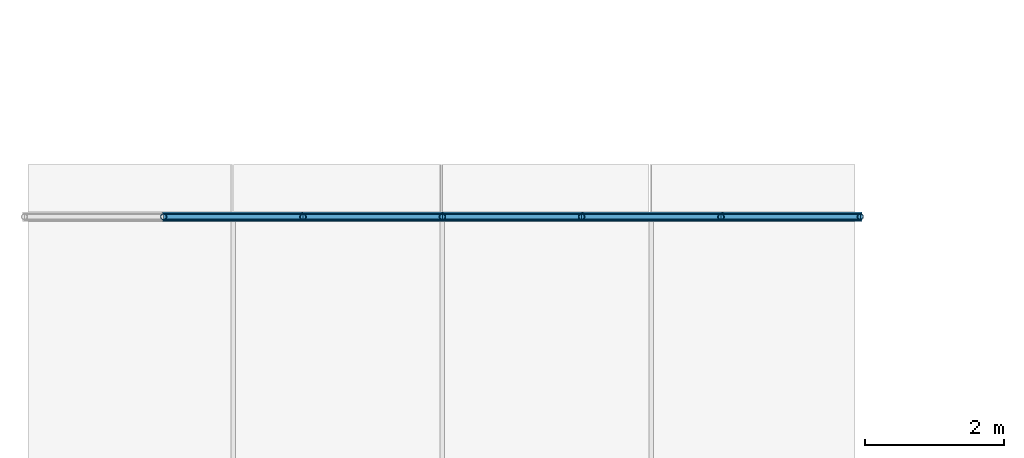
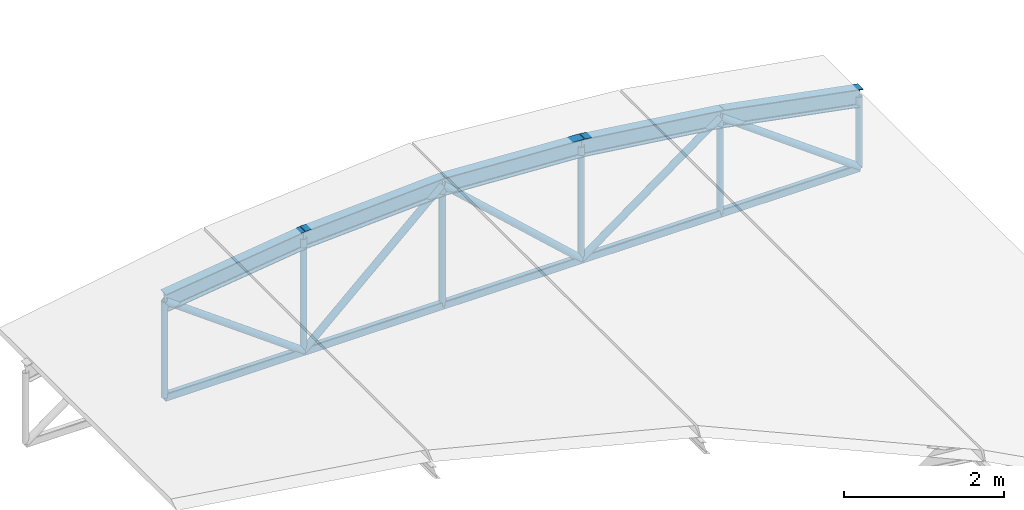
# One storey, part 47 of 54: 21 members.
"""IFC4 building model written with IfcOpenShell, lengths in metres."""

from ifc_helpers import new_model, si_unit, derived_unit, direction, frame, origin, origin_2d, place, context, subcontext, project, spatial, hollow_rectangle, hollow_circle, i_section, extrude, material, material_profile, profile_set, type_object, element, save


model = new_model("IFC4")

# Units and contexts
model_context = context("Model", 3, precision=1e-05, world=origin(), true_north=direction((0.0, 1.0)))
body_context = subcontext(model_context, "Body", "Model", "MODEL_VIEW")
ifc_project = project(units=[si_unit("LENGTHUNIT", "METRE"), si_unit("AREAUNIT", "SQUARE_METRE"), si_unit("VOLUMEUNIT", "CUBIC_METRE"), si_unit("PLANEANGLEUNIT", "RADIAN"), si_unit("MASSUNIT", "GRAM", prefix="KILO"), derived_unit("THERMALTRANSMITTANCEUNIT", [(si_unit("POWERUNIT", "WATT"), 1), (si_unit("LENGTHUNIT", "METRE"), -2), (si_unit("THERMODYNAMICTEMPERATUREUNIT", "KELVIN"), -1)])], contexts=[model_context])

# Site, building, storey
site_placement = place(None, origin())
site = spatial("IfcSite", under=ifc_project, at=site_placement, CompositionType="ELEMENT")
building_placement = place(site_placement, origin())
building = spatial("IfcBuilding", under=site, at=building_placement, Name="Keldorne Ridge Multi-Sports Centre", CompositionType="ELEMENT")
storey_placement = place(building_placement, frame((0.0, 0.0, 22.199951171875)))
storey = spatial("IfcBuildingStorey", under=building, at=storey_placement, Name="ROOF", CompositionType="ELEMENT", Elevation=22.199951171875)

# Members
ifc_material = material(Name="Steel S355", Category="steel")
ifc_material_profile_1 = material_profile(ifc_material, i_section(OverallWidth=0.135009765625, OverallDepth=0.27001953125, WebThickness=0.006591796875, FlangeThickness=0.01025390625, FilletRadius=0.014892578125, at=origin_2d()), Name="IPE 270")
ifc_profile_set_1 = profile_set([ifc_material_profile_1], Name="Steel S355")
member_type_1 = type_object("IfcMemberType", Name="MEM-RF-02", PredefinedType="RAFTER", material=ifc_profile_set_1)
member_1_placement = place(storey_placement, frame((86.0, 114.0, -12.260009765625), z_axis=(0.991654998325, 0.0, 0.128919991848), x_axis=(0.0, 1.0, 0.0)))
element("IfcMember", 1, at=member_1_placement, inside=storey, type_object=member_type_1, Name="Public Passage bowstring arch top chord 14.2", PredefinedType="RAFTER", context=body_context, shape_type="SweptSolid", body=[
    extrude(i_section(OverallWidth=0.135009765625, OverallDepth=0.27001953125, WebThickness=0.006591796875, FlangeThickness=0.01025390625, FilletRadius=0.014892578125, at=origin_2d()), origin(), (0.0, 0.0, 1.0), 2.016845703125),
])
for number, where, z_axis, x_axis, name in (
    (2, (88.0, 114.0, -12.0), (0.998487980686, 0.0, 0.054970468663), (0.0, 1.0, 0.0), "Public Passage bowstring arch top chord 14.3"),
    (3, (90.0, 114.0, -11.889892578125), (0.998487980686, 0.0, -0.054970468663), (0.0, 1.0, 0.0), "Public Passage bowstring arch top chord 14.4"),
):
    element("IfcMember", number, at=place(storey_placement, frame(where, z_axis=z_axis, x_axis=x_axis)), inside=storey, type_object=member_type_1, Name=name, PredefinedType="RAFTER", context=body_context, shape_type="SweptSolid", body=[
        extrude(i_section(OverallWidth=0.135009765625, OverallDepth=0.27001953125, WebThickness=0.006591796875, FlangeThickness=0.01025390625, FilletRadius=0.014892578125, at=origin_2d()), origin(), (0.0, 0.0, 1.0), 2.0029296875),
    ])
member_2_placement = place(storey_placement, frame((92.0, 114.0, -12.0), z_axis=(0.991654998325, 0.0, -0.128919991848), x_axis=(0.0, 1.0, 0.0)))
element("IfcMember", 4, at=member_2_placement, inside=storey, type_object=member_type_1, Name="Public Passage bowstring arch top chord 14.5", PredefinedType="RAFTER", context=body_context, shape_type="SweptSolid", body=[
    extrude(i_section(OverallWidth=0.135009765625, OverallDepth=0.27001953125, WebThickness=0.006591796875, FlangeThickness=0.01025390625, FilletRadius=0.014892578125, at=origin_2d()), origin(), (0.0, 0.0, 1.0), 2.016845703125),
])
member_3_placement = place(storey_placement, frame((94.0, 114.0, -12.260009765625), z_axis=(0.982435006317, 0.0, -0.186605086649), x_axis=(0.0, 1.0, 0.0)))
element("IfcMember", 5, at=member_3_placement, inside=storey, type_object=member_type_1, Name="Public Passage bowstring arch top chord 14.6", PredefinedType="RAFTER", context=body_context, shape_type="SweptSolid", body=[
    extrude(i_section(OverallWidth=0.135009765625, OverallDepth=0.27001953125, WebThickness=0.006591796875, FlangeThickness=0.01025390625, FilletRadius=0.014892578125, at=origin_2d()), origin(), (0.0, 0.0, 1.0), 2.03564453125),
])
ifc_material_profile_2 = material_profile(ifc_material, hollow_rectangle(XDim=0.080078125, YDim=0.1201171875, WallThickness=0.008056640625, InnerFilletRadius=0.008056640625, OuterFilletRadius=0.01611328125, at=origin_2d()), Name="RHS 120x80x8")
ifc_profile_set_2 = profile_set([ifc_material_profile_2], Name="Steel S355")
member_type_2 = type_object("IfcMemberType", Name="MEM-TC-07", PredefinedType="CHORD", material=ifc_profile_set_2)
for number, where, z_axis, x_axis, name in (
    (6, (86.0, 114.0, -13.719970703125), (1.0, 0.0, 0.0), (0.0, 1.0, 0.0), "Public Passage bowstring tie chord 14.2"),
    (7, (88.0, 114.0, -13.719970703125), (1.0, 0.0, 0.0), (0.0, 1.0, 0.0), "Public Passage bowstring tie chord 14.3"),
    (8, (90.0, 114.0, -13.719970703125), (1.0, 0.0, 0.0), (0.0, 1.0, 0.0), "Public Passage bowstring tie chord 14.4"),
    (9, (92.0, 114.0, -13.719970703125), (1.0, 0.0, 0.0), (0.0, 1.0, 0.0), "Public Passage bowstring tie chord 14.5"),
    (10, (94.0, 114.0, -13.719970703125), (1.0, 0.0, 0.0), (0.0, 1.0, 0.0), "Public Passage bowstring tie chord 14.6"),
):
    element("IfcMember", number, at=place(storey_placement, frame(where, z_axis=z_axis, x_axis=x_axis)), inside=storey, type_object=member_type_2, Name=name, PredefinedType="CHORD", context=body_context, shape_type="SweptSolid", body=[
        extrude(hollow_rectangle(XDim=0.080078125, YDim=0.1201171875, WallThickness=0.008056640625, InnerFilletRadius=0.008056640625, OuterFilletRadius=0.01611328125, at=origin_2d()), origin(), (0.0, 0.0, 1.0), 2.0),
    ])
ifc_material_profile_3 = material_profile(ifc_material, hollow_circle(Radius=0.05078125, WallThickness=0.00634765625, at=origin_2d()), Name="CHS 101.6x6.3")
ifc_profile_set_3 = profile_set([ifc_material_profile_3], Name="Steel S355")
member_type_3 = type_object("IfcMemberType", Name="MEM-TD-05", PredefinedType="BRACE", material=ifc_profile_set_3)
member_4_placement = place(storey_placement, frame((86.0, 114.0, -12.260009765625), z_axis=(0.8076945033, 0.0, -0.589601212125), x_axis=(0.0, 1.0, 0.0)))
element("IfcMember", 11, at=member_4_placement, inside=storey, type_object=member_type_3, Name="Public Passage bowstring web diagonal 14.2", PredefinedType="BRACE", context=body_context, shape_type="SweptSolid", body=[
    extrude(hollow_circle(Radius=0.05078125, WallThickness=0.00634765625, at=origin_2d()), origin(), (0.0, 0.0, 1.0), 2.47607421875),
])
for number, where, z_axis, x_axis, name in (
    (12, (88.0, 114.0, -13.719970703125), (0.737751969913, 0.0, 0.675071870907), (0.0, 1.0, 0.0), "Public Passage bowstring web diagonal 14.3"),
    (13, (90.0, 114.0, -11.889892578125), (0.737751969913, 0.0, -0.675071870907), (0.0, 1.0, 0.0), "Public Passage bowstring web diagonal 14.4"),
):
    element("IfcMember", number, at=place(storey_placement, frame(where, z_axis=z_axis, x_axis=x_axis)), inside=storey, type_object=member_type_3, Name=name, PredefinedType="BRACE", context=body_context, shape_type="SweptSolid", body=[
        extrude(hollow_circle(Radius=0.05078125, WallThickness=0.00634765625, at=origin_2d()), origin(), (0.0, 0.0, 1.0), 2.7109375),
    ])
for number, where, z_axis, x_axis, name in (
    (14, (92.0, 114.0, -13.719970703125), (0.8076945033, 0.0, 0.589601212125), (0.0, 1.0, 0.0), "Public Passage bowstring web diagonal 14.5"),
    (15, (94.0, 114.0, -12.260009765625), (0.8076945033, 0.0, -0.589601212125), (0.0, 1.0, 0.0), "Public Passage bowstring web diagonal 14.6"),
):
    element("IfcMember", number, at=place(storey_placement, frame(where, z_axis=z_axis, x_axis=x_axis)), inside=storey, type_object=member_type_3, Name=name, PredefinedType="BRACE", context=body_context, shape_type="SweptSolid", body=[
        extrude(hollow_circle(Radius=0.05078125, WallThickness=0.00634765625, at=origin_2d()), origin(), (0.0, 0.0, 1.0), 2.47607421875),
    ])
ifc_material_profile_4 = material_profile(ifc_material, hollow_circle(Radius=0.04443359375, WallThickness=0.0048828125, at=origin_2d()), Name="CHS 88.9x5")
ifc_profile_set_4 = profile_set([ifc_material_profile_4], Name="Steel S355")
member_type_4 = type_object("IfcMemberType", Name="MEM-TV-07", PredefinedType="STRUT", material=ifc_profile_set_4)
member_5_placement = place(storey_placement, frame((86.0, 114.0, -13.719970703125), z_axis=(0.0, 0.0, 1.0), x_axis=(1.0, 0.0, 0.0)))
element("IfcMember", 16, at=member_5_placement, inside=storey, type_object=member_type_4, Name="Public Passage bowstring hanger 14.2", PredefinedType="STRUT", context=body_context, shape_type="SweptSolid", body=[
    extrude(hollow_circle(Radius=0.04443359375, WallThickness=0.0048828125, at=origin_2d()), origin(), (0.0, 0.0, 1.0), 1.4599609375),
])
member_6_placement = place(storey_placement, frame((88.0, 114.0, -13.719970703125), z_axis=(0.0, 0.0, 1.0), x_axis=(1.0, 0.0, 0.0)))
element("IfcMember", 17, at=member_6_placement, inside=storey, type_object=member_type_4, Name="Public Passage bowstring hanger 14.3", PredefinedType="STRUT", context=body_context, shape_type="SweptSolid", body=[
    extrude(hollow_circle(Radius=0.04443359375, WallThickness=0.0048828125, at=origin_2d()), origin(), (0.0, 0.0, 1.0), 1.719970703125),
])
member_7_placement = place(storey_placement, frame((90.0, 114.0, -13.719970703125), z_axis=(0.0, 0.0, 1.0), x_axis=(1.0, 0.0, 0.0)))
element("IfcMember", 18, at=member_7_placement, inside=storey, type_object=member_type_4, Name="Public Passage bowstring hanger 14.4", PredefinedType="STRUT", context=body_context, shape_type="SweptSolid", body=[
    extrude(hollow_circle(Radius=0.04443359375, WallThickness=0.0048828125, at=origin_2d()), origin(), (0.0, 0.0, 1.0), 1.830078125),
])
member_8_placement = place(storey_placement, frame((92.0, 114.0, -13.719970703125), z_axis=(0.0, 0.0, 1.0), x_axis=(1.0, 0.0, 0.0)))
element("IfcMember", 19, at=member_8_placement, inside=storey, type_object=member_type_4, Name="Public Passage bowstring hanger 14.5", PredefinedType="STRUT", context=body_context, shape_type="SweptSolid", body=[
    extrude(hollow_circle(Radius=0.04443359375, WallThickness=0.0048828125, at=origin_2d()), origin(), (0.0, 0.0, 1.0), 1.719970703125),
])
member_9_placement = place(storey_placement, frame((94.0, 114.0, -13.719970703125), z_axis=(0.0, 0.0, 1.0), x_axis=(1.0, 0.0, 0.0)))
element("IfcMember", 20, at=member_9_placement, inside=storey, type_object=member_type_4, Name="Public Passage bowstring hanger 14.6", PredefinedType="STRUT", context=body_context, shape_type="SweptSolid", body=[
    extrude(hollow_circle(Radius=0.04443359375, WallThickness=0.0048828125, at=origin_2d()), origin(), (0.0, 0.0, 1.0), 1.4599609375),
])
member_10_placement = place(storey_placement, frame((96.0, 114.0, -13.719970703125), z_axis=(0.0, 0.0, 1.0), x_axis=(1.0, 0.0, 0.0)))
element("IfcMember", 21, at=member_10_placement, inside=storey, type_object=member_type_4, Name="Public Passage bowstring hanger 14.7", PredefinedType="STRUT", context=body_context, shape_type="SweptSolid", body=[
    extrude(hollow_circle(Radius=0.04443359375, WallThickness=0.0048828125, at=origin_2d()), origin(), (0.0, 0.0, 1.0), 1.080078125),
])

save(model, "model.ifc")
